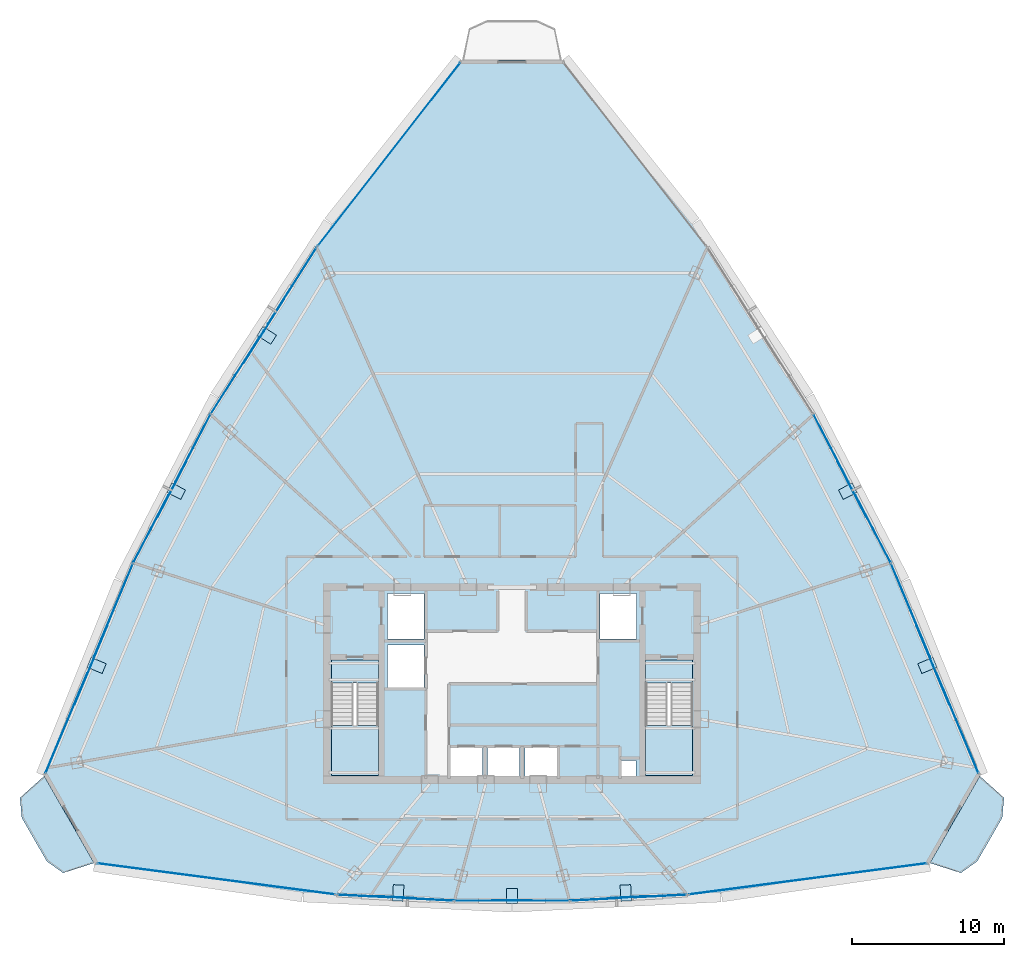
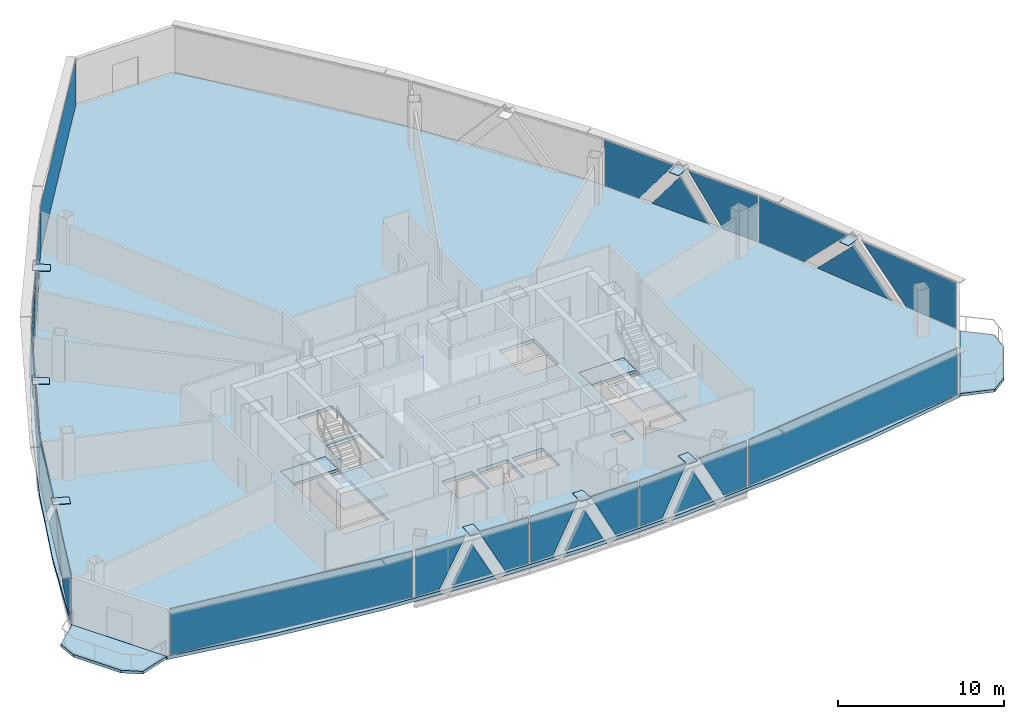
# One storey, part 27 of 33: 35 plates, 7 slabs, 13 elements without a shape of their own.
"""IFC4 building model written with IfcOpenShell, lengths in metres."""

from ifc_helpers import new_model, si_unit, direction, frame, origin, origin_2d, place, context, subcontext, project, spatial, polyline, rectangle, outline, extrude, source, transform, mapped, material, layer, layer_set, type_object, element, aggregate, save


model = new_model("IFC4")

# Units and contexts
model_context = context("Model", 3, precision=1e-05, world=origin(), true_north=direction((0.0, 1.0)))
body_context = subcontext(model_context, "Body", "Model", "MODEL_VIEW")
ifc_project = project(units=[si_unit("LENGTHUNIT", "METRE"), si_unit("AREAUNIT", "SQUARE_METRE"), si_unit("VOLUMEUNIT", "CUBIC_METRE"), si_unit("PLANEANGLEUNIT", "RADIAN"), si_unit("MASSUNIT", "GRAM", prefix="KILO"), si_unit("THERMODYNAMICTEMPERATUREUNIT", "KELVIN"), si_unit("POWERUNIT", "WATT")], contexts=[model_context])

# Site, building, storey
site_placement = place(None, origin())
site = spatial("IfcSite", under=ifc_project, at=site_placement, CompositionType="ELEMENT")
building_placement = place(site_placement, origin())
building = spatial("IfcBuilding", under=site, at=building_placement, Name="Yunzhuo Pagoda Commons", CompositionType="ELEMENT")
storey_placement = place(building_placement, frame((0.0, 0.0, 307.39990234375)))
storey = spatial("IfcBuildingStorey", under=building, at=storey_placement, Name="L77", CompositionType="ELEMENT", Elevation=307.39990234375)

# Curtain wall, plates
ifc_material_1 = material(Name="Anodized aluminium 6063-T6", Category="aluminium")
ifc_layer_1 = layer(ifc_material_1, 0.139892578125)
ifc_layer_set_1 = layer_set([ifc_layer_1], Name="Anodized aluminium 6063-T6")
curtain_wall_type = type_object("IfcCurtainWallType", Name="CW-HI High-Zone Ribbon Curtain Wall", PredefinedType="NOTDEFINED", material=ifc_layer_set_1)
curtain_wall_1_placement = place(storey_placement, origin())
curtain_wall_1 = element("IfcCurtainWall", 1, at=curtain_wall_1_placement, inside=storey, type_object=curtain_wall_type, Name="L77 curtain wall CW-L77-F1B2", PredefinedType="NOTDEFINED")
ifc_material_2 = material(Name="Tempered low-e double glazing", Category="glass")
ifc_layer_2 = layer(ifc_material_2, 0.02587890625)
ifc_layer_set_2 = layer_set([ifc_layer_2], Name="Tempered low-e double glazing")
plate_type_1 = type_object("IfcPlateType", Name="CW-HI-P Low-E Double Glazing 26", PredefinedType="CURTAIN_PANEL", material=ifc_layer_set_2)
plate_1_placement = place(storey_placement, frame((38.1982421875, 19.86962890625, 1.735107421875), z_axis=(-0.051461616076, -0.998674973187, 0.0), x_axis=(0.998674973187, -0.051461616076, 0.0)))
plate_1 = element("IfcPlate", 2, at=plate_1_placement, type_object=plate_type_1, Name="CW panel 1.1 lite 1", PredefinedType="CURTAIN_PANEL", context=body_context, shape_type="SweptSolid", body=[
    extrude(outline(polyline([(-1.681396484375, -1.679931640625), (-0.06591796875, -1.679931640625), (1.681396484375, 1.679931640625), (-1.681396484375, 1.679931640625), (-1.681396484375, -1.679931640625)])), origin(), (0.0, 0.0, 1.0), 0.028076171875),
])
plate_2_placement = place(storey_placement, frame((40.335205078125, 19.78955078125, 1.350830078125), z_axis=(-0.051461616076, -0.998674973187, 0.0), x_axis=(0.998674973187, -0.051461616076, 0.0)))
plate_2 = element("IfcPlate", 3, at=plate_2_placement, type_object=plate_type_1, Name="CW panel 1.1 lite 2", PredefinedType="CURTAIN_PANEL", context=body_context, shape_type="SweptSolid", body=[
    extrude(outline(polyline([(-1.34765625, -1.295654296875), (1.34765625, -1.295654296875), (0.0, 1.295654296875), (-1.34765625, -1.295654296875)])), origin(), (0.0, 0.0, 1.0), 0.028076171875),
])
plate_3_placement = place(storey_placement, frame((42.46923828125, 19.6494140625, 1.735107421875), z_axis=(-0.051461616076, -0.998674973187, 0.0), x_axis=(0.998674973187, -0.051461616076, 0.0)))
plate_3 = element("IfcPlate", 4, at=plate_3_placement, type_object=plate_type_1, Name="CW panel 1.1 lite 3", PredefinedType="CURTAIN_PANEL", context=body_context, shape_type="SweptSolid", body=[
    extrude(outline(polyline([(-1.681396484375, 1.679931640625), (0.066162109375, -1.679931640625), (1.681396484375, -1.679931640625), (1.681396484375, 1.679931640625), (-1.681396484375, 1.679931640625)])), origin(), (0.0, 0.0, 1.0), 0.028076171875),
])
aggregate(curtain_wall_1, [plate_1, plate_2, plate_3])

curtain_wall_2_placement = place(storey_placement, origin())
curtain_wall_2 = element("IfcCurtainWall", 5, at=curtain_wall_2_placement, inside=storey, type_object=curtain_wall_type, Name="L77 curtain wall CW-L77-F1B3", PredefinedType="NOTDEFINED")
plate_4_placement = place(storey_placement, frame((45.906494140625, 19.56005859375, 1.735107421875), z_axis=(0.0, -1.0, 0.0), x_axis=(1.0, 0.0, 0.0)))
plate_4 = element("IfcPlate", 6, at=plate_4_placement, type_object=plate_type_1, Name="CW panel 1.1 lite 1", PredefinedType="CURTAIN_PANEL", context=body_context, shape_type="SweptSolid", body=[
    extrude(outline(polyline([(-1.63916015625, -1.679931640625), (-0.06884765625, -1.679931640625), (1.63916015625, 1.679931640625), (-1.63916015625, 1.679931640625), (-1.63916015625, -1.679931640625)])), origin(), (0.0, 0.0, 1.0), 0.028076171875),
])
plate_5_placement = place(storey_placement, frame((48.0, 19.58984375, 1.34326171875), z_axis=(0.0, -1.0, 0.0), x_axis=(1.0, 0.0, 0.0)))
plate_5 = element("IfcPlate", 7, at=plate_5_placement, type_object=plate_type_1, Name="CW panel 1.1 lite 2", PredefinedType="CURTAIN_PANEL", context=body_context, shape_type="SweptSolid", body=[
    extrude(outline(polyline([(-1.309814453125, -1.288330078125), (1.309814453125, -1.288330078125), (0.0, 1.288330078125), (-1.309814453125, -1.288330078125)])), origin(), (0.0, 0.0, 1.0), 0.028076171875),
])
plate_6_placement = place(storey_placement, frame((50.093505859375, 19.56005859375, 1.735107421875), z_axis=(0.0, -1.0, 0.0), x_axis=(1.0, 0.0, 0.0)))
plate_6 = element("IfcPlate", 8, at=plate_6_placement, type_object=plate_type_1, Name="CW panel 1.1 lite 3", PredefinedType="CURTAIN_PANEL", context=body_context, shape_type="SweptSolid", body=[
    extrude(outline(polyline([(-1.63916015625, 1.679931640625), (0.06884765625, -1.679931640625), (1.63916015625, -1.679931640625), (1.63916015625, 1.679931640625), (-1.63916015625, 1.679931640625)])), origin(), (0.0, 0.0, 1.0), 0.028076171875),
])
aggregate(curtain_wall_2, [plate_4, plate_5, plate_6])

curtain_wall_3_placement = place(storey_placement, origin())
curtain_wall_3 = element("IfcCurtainWall", 9, at=curtain_wall_3_placement, inside=storey, type_object=curtain_wall_type, Name="L77 curtain wall CW-L77-F1B4", PredefinedType="NOTDEFINED")
plate_7_placement = place(storey_placement, frame((53.53076171875, 19.6494140625, 1.735107421875), z_axis=(0.051461616076, -0.998674973187, 0.0), x_axis=(0.998674973187, 0.051461616076, 0.0)))
plate_7 = element("IfcPlate", 10, at=plate_7_placement, type_object=plate_type_1, Name="CW panel 1.1 lite 1", PredefinedType="CURTAIN_PANEL", context=body_context, shape_type="SweptSolid", body=[
    extrude(outline(polyline([(-1.681396484375, -1.679931640625), (-0.066162109375, -1.679931640625), (1.681396484375, 1.679931640625), (-1.681396484375, 1.679931640625), (-1.681396484375, -1.679931640625)])), origin(), (0.0, 0.0, 1.0), 0.028076171875),
])
plate_8_placement = place(storey_placement, frame((55.664794921875, 19.78955078125, 1.350830078125), z_axis=(0.051461616076, -0.998674973187, 0.0), x_axis=(0.998674973187, 0.051461616076, 0.0)))
plate_8 = element("IfcPlate", 11, at=plate_8_placement, type_object=plate_type_1, Name="CW panel 1.1 lite 2", PredefinedType="CURTAIN_PANEL", context=body_context, shape_type="SweptSolid", body=[
    extrude(outline(polyline([(-1.34765625, -1.295654296875), (1.34765625, -1.295654296875), (0.0, 1.295654296875), (-1.34765625, -1.295654296875)])), origin(), (0.0, 0.0, 1.0), 0.028076171875),
])
plate_9_placement = place(storey_placement, frame((57.8017578125, 19.86962890625, 1.735107421875), z_axis=(0.051461616076, -0.998674973187, 0.0), x_axis=(0.998674973187, 0.051461616076, 0.0)))
plate_9 = element("IfcPlate", 12, at=plate_9_placement, type_object=plate_type_1, Name="CW panel 1.1 lite 3", PredefinedType="CURTAIN_PANEL", context=body_context, shape_type="SweptSolid", body=[
    extrude(outline(polyline([(-1.681396484375, 1.679931640625), (0.06591796875, -1.679931640625), (1.681396484375, -1.679931640625), (1.681396484375, 1.679931640625), (-1.681396484375, 1.679931640625)])), origin(), (0.0, 0.0, 1.0), 0.028076171875),
])
aggregate(curtain_wall_3, [plate_7, plate_8, plate_9])

curtain_wall_4_placement = place(storey_placement, origin())
curtain_wall_4 = element("IfcCurtainWall", 13, at=curtain_wall_4_placement, inside=storey, type_object=curtain_wall_type, Name="L77 curtain wall CW-L77-F2B2", PredefinedType="NOTDEFINED")
plate_10_placement = place(storey_placement, frame((77.342529296875, 31.243896484375, 1.735107421875), z_axis=(0.922876210298, 0.385096741697, 0.0), x_axis=(-0.385096741697, 0.922876210298, 0.0)))
plate_10 = element("IfcPlate", 14, at=plate_10_placement, type_object=plate_type_1, Name="CW panel 1.1 lite 1", PredefinedType="CURTAIN_PANEL", context=body_context, shape_type="SweptSolid", body=[
    extrude(outline(polyline([(-3.559814453125, -1.679931640625), (0.274169921875, -1.679931640625), (3.559814453125, 1.679931640625), (-3.559814453125, 1.679931640625), (-3.559814453125, -1.679931640625)])), origin(), (0.0, 0.0, 1.0), 0.028076171875),
])
plate_11_placement = place(storey_placement, frame((75.718505859375, 35.0576171875, 1.490966796875), z_axis=(0.922876210298, 0.385096741697, 0.0), x_axis=(-0.385096741697, 0.922876210298, 0.0)))
plate_11 = element("IfcPlate", 15, at=plate_11_placement, type_object=plate_type_1, Name="CW panel 1.1 lite 2", PredefinedType="CURTAIN_PANEL", context=body_context, shape_type="SweptSolid", body=[
    extrude(outline(polyline([(-2.807861328125, -1.435791015625), (2.807861328125, -1.435791015625), (0.0, 1.435791015625), (-2.807861328125, -1.435791015625)])), origin(), (0.0, 0.0, 1.0), 0.028076171875),
])
plate_12_placement = place(storey_placement, frame((74.240478515625, 38.677734375, 1.735107421875), z_axis=(0.922876210298, 0.385096741697, 0.0), x_axis=(-0.385096741697, 0.922876210298, 0.0)))
plate_12 = element("IfcPlate", 16, at=plate_12_placement, type_object=plate_type_1, Name="CW panel 1.1 lite 3", PredefinedType="CURTAIN_PANEL", context=body_context, shape_type="SweptSolid", body=[
    extrude(outline(polyline([(-3.32470703125, 1.679931640625), (-0.039306640625, -1.679931640625), (3.32470703125, -1.679931640625), (3.32470703125, 1.679931640625), (-3.32470703125, 1.679931640625)])), origin(), (0.0, 0.0, 1.0), 0.028076171875),
])
aggregate(curtain_wall_4, [plate_10, plate_11, plate_12])

curtain_wall_5_placement = place(storey_placement, origin())
curtain_wall_5 = element("IfcCurtainWall", 17, at=curtain_wall_5_placement, inside=storey, type_object=curtain_wall_type, Name="L77 curtain wall CW-L77-F2B3", PredefinedType="NOTDEFINED")
plate_13_placement = place(storey_placement, frame((71.7705078125, 44.043701171875, 1.735107421875), z_axis=(0.887137465673, 0.461505272992, 0.0), x_axis=(-0.461505272992, 0.887137465673, 0.0)))
plate_13 = element("IfcPlate", 18, at=plate_13_placement, type_object=plate_type_1, Name="CW panel 1.1 lite 1", PredefinedType="CURTAIN_PANEL", context=body_context, shape_type="SweptSolid", body=[
    extrude(outline(polyline([(-2.468994140625, -1.679931640625), (-0.01318359375, -1.679931640625), (2.468994140625, 1.679931640625), (-2.468994140625, 1.679931640625), (-2.468994140625, -1.679931640625)])), origin(), (0.0, 0.0, 1.0), 0.028076171875),
])
plate_14_placement = place(storey_placement, frame((70.367431640625, 46.67529296875, 1.44287109375), z_axis=(0.887137465673, 0.461505272992, 0.0), x_axis=(-0.461505272992, 0.887137465673, 0.0)))
plate_14 = element("IfcPlate", 19, at=plate_14_placement, type_object=plate_type_1, Name="CW panel 1.1 lite 2", PredefinedType="CURTAIN_PANEL", context=body_context, shape_type="SweptSolid", body=[
    extrude(outline(polyline([(-2.05029296875, -1.3876953125), (2.05029296875, -1.3876953125), (0.0, 1.3876953125), (-2.05029296875, -1.3876953125)])), origin(), (0.0, 0.0, 1.0), 0.028076171875),
])
plate_15_placement = place(storey_placement, frame((69.017822265625, 49.334716796875, 1.735107421875), z_axis=(0.887137465673, 0.461505272992, 0.0), x_axis=(-0.461505272992, 0.887137465673, 0.0)))
plate_15 = element("IfcPlate", 20, at=plate_15_placement, type_object=plate_type_1, Name="CW panel 1.1 lite 3", PredefinedType="CURTAIN_PANEL", context=body_context, shape_type="SweptSolid", body=[
    extrude(outline(polyline([(-2.468994140625, 1.679931640625), (0.01318359375, -1.679931640625), (2.468994140625, -1.679931640625), (2.468994140625, 1.679931640625), (-2.468994140625, 1.679931640625)])), origin(), (0.0, 0.0, 1.0), 0.028076171875),
])
aggregate(curtain_wall_5, [plate_13, plate_14, plate_15])

curtain_wall_6_placement = place(storey_placement, origin())
curtain_wall_6 = element("IfcCurtainWall", 21, at=curtain_wall_6_placement, inside=storey, type_object=curtain_wall_type, Name="L77 curtain wall CW-L77-F3B2", PredefinedType="NOTDEFINED")
plate_16_placement = place(storey_placement, frame((33.530029296875, 60.042236328125, 1.735107421875), z_axis=(-0.843909804597, 0.536485080599, 0.0), x_axis=(-0.536485080599, -0.843909804597, 0.0)))
plate_16 = element("IfcPlate", 22, at=plate_16_placement, type_object=plate_type_1, Name="CW panel 1.1 lite 1", PredefinedType="CURTAIN_PANEL", context=body_context, shape_type="SweptSolid", body=[
    extrude(outline(polyline([(-2.954833984375, -1.679931640625), (0.01708984375, -1.679931640625), (2.954833984375, 1.679931640625), (-2.954833984375, 1.679931640625), (-2.954833984375, -1.679931640625)])), origin(), (0.0, 0.0, 1.0), 0.028076171875),
])
plate_17_placement = place(storey_placement, frame((31.673583984375, 57.06591796875, 1.473876953125), z_axis=(-0.843909804597, 0.536485080599, 0.0), x_axis=(-0.536485080599, -0.843909804597, 0.0)))
plate_17 = element("IfcPlate", 23, at=plate_17_placement, type_object=plate_type_1, Name="CW panel 1.1 lite 2", PredefinedType="CURTAIN_PANEL", context=body_context, shape_type="SweptSolid", body=[
    extrude(outline(polyline([(-2.481201171875, -1.4189453125), (2.481201171875, -1.4189453125), (0.0, 1.4189453125), (-2.481201171875, -1.4189453125)])), origin(), (0.0, 0.0, 1.0), 0.028076171875),
])
plate_18_placement = place(storey_placement, frame((29.766357421875, 54.121826171875, 1.735107421875), z_axis=(-0.843909804597, 0.536485080599, 0.0), x_axis=(-0.536485080599, -0.843909804597, 0.0)))
plate_18 = element("IfcPlate", 24, at=plate_18_placement, type_object=plate_type_1, Name="CW panel 1.1 lite 3", PredefinedType="CURTAIN_PANEL", context=body_context, shape_type="SweptSolid", body=[
    extrude(outline(polyline([(-2.954833984375, 1.679931640625), (-0.01708984375, -1.679931640625), (2.955078125, -1.679931640625), (2.955078125, 1.679931640625), (-2.954833984375, 1.679931640625)])), origin(), (0.0, 0.0, 1.0), 0.028076171875),
])
aggregate(curtain_wall_6, [plate_16, plate_17, plate_18])

curtain_wall_7_placement = place(storey_placement, origin())
curtain_wall_7 = element("IfcCurtainWall", 25, at=curtain_wall_7_placement, inside=storey, type_object=curtain_wall_type, Name="L77 curtain wall CW-L77-F3B3", PredefinedType="NOTDEFINED")
plate_19_placement = place(storey_placement, frame((26.982177734375, 49.334716796875, 1.735107421875), z_axis=(-0.887137465673, 0.461505272992, 0.0), x_axis=(-0.461505272992, -0.887137465673, 0.0)))
plate_19 = element("IfcPlate", 26, at=plate_19_placement, type_object=plate_type_1, Name="CW panel 1.1 lite 1", PredefinedType="CURTAIN_PANEL", context=body_context, shape_type="SweptSolid", body=[
    extrude(outline(polyline([(-2.468994140625, -1.679931640625), (-0.01318359375, -1.679931640625), (2.468994140625, 1.679931640625), (-2.468994140625, 1.679931640625), (-2.468994140625, -1.679931640625)])), origin(), (0.0, 0.0, 1.0), 0.028076171875),
])
plate_20_placement = place(storey_placement, frame((25.632568359375, 46.67529296875, 1.44287109375), z_axis=(-0.887137465673, 0.461505272992, 0.0), x_axis=(-0.461505272992, -0.887137465673, 0.0)))
plate_20 = element("IfcPlate", 27, at=plate_20_placement, type_object=plate_type_1, Name="CW panel 1.1 lite 2", PredefinedType="CURTAIN_PANEL", context=body_context, shape_type="SweptSolid", body=[
    extrude(outline(polyline([(-2.05029296875, -1.3876953125), (2.05029296875, -1.3876953125), (0.0, 1.3876953125), (-2.05029296875, -1.3876953125)])), origin(), (0.0, 0.0, 1.0), 0.028076171875),
])
plate_21_placement = place(storey_placement, frame((24.2294921875, 44.043701171875, 1.735107421875), z_axis=(-0.887137465673, 0.461505272992, 0.0), x_axis=(-0.461505272992, -0.887137465673, 0.0)))
plate_21 = element("IfcPlate", 28, at=plate_21_placement, type_object=plate_type_1, Name="CW panel 1.1 lite 3", PredefinedType="CURTAIN_PANEL", context=body_context, shape_type="SweptSolid", body=[
    extrude(outline(polyline([(-2.468994140625, 1.679931640625), (0.01318359375, -1.679931640625), (2.468994140625, -1.679931640625), (2.468994140625, 1.679931640625), (-2.468994140625, 1.679931640625)])), origin(), (0.0, 0.0, 1.0), 0.028076171875),
])
aggregate(curtain_wall_7, [plate_19, plate_20, plate_21])

curtain_wall_8_placement = place(storey_placement, origin())
curtain_wall_8 = element("IfcCurtainWall", 29, at=curtain_wall_8_placement, inside=storey, type_object=curtain_wall_type, Name="L77 curtain wall CW-L77-F3B4", PredefinedType="NOTDEFINED")
plate_22_placement = place(storey_placement, frame((21.759521484375, 38.677734375, 1.735107421875), z_axis=(-0.922876210298, 0.385096741697, 0.0), x_axis=(-0.385096741697, -0.922876210298, 0.0)))
plate_22 = element("IfcPlate", 30, at=plate_22_placement, type_object=plate_type_1, Name="CW panel 1.1 lite 1", PredefinedType="CURTAIN_PANEL", context=body_context, shape_type="SweptSolid", body=[
    extrude(outline(polyline([(-3.32470703125, -1.679931640625), (0.039306640625, -1.679931640625), (3.32470703125, 1.679931640625), (-3.32470703125, 1.679931640625), (-3.32470703125, -1.679931640625)])), origin(), (0.0, 0.0, 1.0), 0.028076171875),
])
plate_23_placement = place(storey_placement, frame((20.281494140625, 35.0576171875, 1.490966796875), z_axis=(-0.922876210298, 0.385096741697, 0.0), x_axis=(-0.385096741697, -0.922876210298, 0.0)))
plate_23 = element("IfcPlate", 31, at=plate_23_placement, type_object=plate_type_1, Name="CW panel 1.1 lite 2", PredefinedType="CURTAIN_PANEL", context=body_context, shape_type="SweptSolid", body=[
    extrude(outline(polyline([(-2.807861328125, -1.435791015625), (2.807861328125, -1.435791015625), (0.0, 1.435791015625), (-2.807861328125, -1.435791015625)])), origin(), (0.0, 0.0, 1.0), 0.028076171875),
])
plate_24_placement = place(storey_placement, frame((18.657470703125, 31.243896484375, 1.735107421875), z_axis=(-0.922876210298, 0.385096741697, 0.0), x_axis=(-0.385096741697, -0.922876210298, 0.0)))
plate_24 = element("IfcPlate", 32, at=plate_24_placement, type_object=plate_type_1, Name="CW panel 1.1 lite 3", PredefinedType="CURTAIN_PANEL", context=body_context, shape_type="SweptSolid", body=[
    extrude(outline(polyline([(-3.559814453125, 1.679931640625), (-0.274169921875, -1.679931640625), (3.559814453125, -1.679931640625), (3.559814453125, 1.679931640625), (-3.559814453125, 1.679931640625)])), origin(), (0.0, 0.0, 1.0), 0.028076171875),
])
aggregate(curtain_wall_8, [plate_22, plate_23, plate_24])

# Slabs
ifc_material_3 = material(Name="Concrete C40", Category="concrete")
ifc_layer_3 = layer(ifc_material_3, 0.199951171875)
ifc_layer_set_3 = layer_set([ifc_layer_3], Name="Concrete C40")
slab_type_1 = type_object("IfcSlabType", Name="SL-BAL Vertex Balcony Deck Slab 200", PredefinedType="FLOOR", material=ifc_layer_set_3)
slab_1_placement = place(storey_placement, frame((0.0, 0.0, -0.199951171875)))
element("IfcSlab", 33, at=slab_1_placement, inside=storey, type_object=slab_type_1, Name="L77 corner balcony V1", PredefinedType="FLOOR", context=body_context, shape_type="SweptSolid", body=[
    extrude(outline(polyline([(17.180908203125, 27.75927734375), (20.468994140625, 22.032958984375), (18.427978515625, 21.380126953125), (17.35302734375, 22.1474609375), (15.709228515625, 25.010498046875), (15.588134765625, 26.32568359375), (17.180908203125, 27.75927734375)])), origin(), (0.0, 0.0, 1.0), 0.199951171875),
])
slab_2_placement = place(storey_placement, frame((0.0, 0.0, -0.199951171875)))
element("IfcSlab", 34, at=slab_2_placement, inside=storey, type_object=slab_type_1, Name="L77 corner balcony V2", PredefinedType="FLOOR", context=body_context, shape_type="SweptSolid", body=[
    extrude(outline(polyline([(75.531005859375, 22.032958984375), (78.819091796875, 27.75927734375), (80.411865234375, 26.32568359375), (80.290771484375, 25.010498046875), (78.64697265625, 22.1474609375), (77.572021484375, 21.380126953125), (75.531005859375, 22.032958984375)])), origin(), (0.0, 0.0, 1.0), 0.199951171875),
])

# Stair, slabs
stair_type_1 = type_object("IfcStairType", Name="ST-C1 Core Smokeproof Stair ST1", PredefinedType="HALF_TURN_STAIR", material=ifc_material_3)
stair_1_placement = place(storey_placement, origin())
stair_1 = element("IfcStair", 35, at=stair_1_placement, inside=storey, type_object=stair_type_1, Name="L77 Core smokeproof stair ST1", PredefinedType="HALF_TURN_STAIR")
ifc_layer_4 = layer(ifc_material_3, 0.199951171875)
ifc_layer_set_4 = layer_set([ifc_layer_4], Name="Concrete C40")
slab_type_2 = type_object("IfcSlabType", Name="SL-LND1 Stair Landing Slab 200", PredefinedType="LANDING", material=ifc_layer_set_4)
slab_3_placement = place(storey_placement, frame((0.0, 0.0, 1.6650390625)))
slab_3 = element("IfcSlab", 36, at=slab_3_placement, type_object=slab_type_2, Name="ST1 landing 1", PredefinedType="LANDING", context=body_context, shape_type="SweptSolid", body=[
    extrude(outline(polyline([(36.10009765625, 31.10009765625), (36.10009765625, 27.800048828125), (39.199951171875, 27.800048828125), (39.199951171875, 31.10009765625), (36.10009765625, 31.10009765625)])), origin(), (0.0, 0.0, 1.0), 0.199951171875),
])
slab_4_placement = place(storey_placement, frame((0.0, 0.0, -0.199951171875)))
slab_4 = element("IfcSlab", 37, at=slab_4_placement, type_object=slab_type_2, Name="ST1 floor landing L77", PredefinedType="LANDING", context=body_context, shape_type="SweptSolid", body=[
    extrude(outline(polyline([(36.10009765625, 35.39990234375), (36.10009765625, 33.89990234375), (39.199951171875, 33.89990234375), (39.199951171875, 35.39990234375), (36.10009765625, 35.39990234375)])), origin(), (0.0, 0.0, 1.0), 0.199951171875),
])
aggregate(stair_1, [slab_3, slab_4])

stair_type_2 = type_object("IfcStairType", Name="ST-C2 Core Smokeproof Stair ST2", PredefinedType="HALF_TURN_STAIR", material=ifc_material_3)
stair_2_placement = place(storey_placement, origin())
stair_2 = element("IfcStair", 38, at=stair_2_placement, inside=storey, type_object=stair_type_2, Name="L77 Core smokeproof stair ST2", PredefinedType="HALF_TURN_STAIR")
ifc_layer_5 = layer(ifc_material_3, 0.201904296875)
ifc_layer_set_5 = layer_set([ifc_layer_5], Name="Concrete C40")
slab_type_3 = type_object("IfcSlabType", Name="SL-LND2 Stair Landing Slab 202", PredefinedType="LANDING", material=ifc_layer_set_5)
slab_5_placement = place(storey_placement, frame((0.0, 0.0, 1.6650390625)))
slab_5 = element("IfcSlab", 39, at=slab_5_placement, type_object=slab_type_3, Name="ST2 landing 1", PredefinedType="LANDING", context=body_context, shape_type="SweptSolid", body=[
    extrude(outline(polyline([(56.800048828125, 31.10009765625), (56.800048828125, 27.800048828125), (59.89990234375, 27.800048828125), (59.89990234375, 31.10009765625), (56.800048828125, 31.10009765625)])), origin(), (0.0, 0.0, 1.0), 0.199951171875),
])
slab_6_placement = place(storey_placement, frame((0.0, 0.0, -0.199951171875)))
slab_6 = element("IfcSlab", 40, at=slab_6_placement, type_object=slab_type_3, Name="ST2 floor landing L77", PredefinedType="LANDING", context=body_context, shape_type="SweptSolid", body=[
    extrude(outline(polyline([(56.800048828125, 35.39990234375), (56.800048828125, 33.89990234375), (59.89990234375, 33.89990234375), (59.89990234375, 35.39990234375), (56.800048828125, 35.39990234375)])), origin(), (0.0, 0.0, 1.0), 0.199951171875),
])
aggregate(stair_2, [slab_5, slab_6])

# Slab
ifc_layer_6 = layer(ifc_material_3, 0.260009765625)
ifc_layer_set_6 = layer_set([ifc_layer_6], Name="Concrete C40")
slab_type_4 = type_object("IfcSlabType", Name="SL-TWR Typical Tower Floor Slab 260", PredefinedType="FLOOR", material=ifc_layer_set_6)
slab_7_placement = place(storey_placement, frame((0.0, 0.0, -0.260009765625)))
element("IfcSlab", 41, at=slab_7_placement, inside=storey, type_object=slab_type_4, Name="L77 structural floor slab", PredefinedType="FLOOR", context=body_context, shape_type="SweptSolid", body=[
    extrude(outline(polyline([(19.614013671875, 34.2470703125), (22.331787109375, 40.563720703125), (25.3388671875, 46.71142578125), (28.635009765625, 52.6904296875), (32.220703125, 58.50048828125), (36.09521484375, 64.141845703125), (40.259033203125, 69.614501953125), (44.712158203125, 74.918212890625), (51.287841796875, 74.918212890625), (55.740966796875, 69.614501953125), (59.90478515625, 64.141845703125), (63.779296875, 58.50048828125), (67.364990234375, 52.6904296875), (70.6611328125, 46.71142578125), (73.668212890625, 40.563720703125), (76.385986328125, 34.2470703125), (78.814697265625, 27.76171875), (75.52685546875, 22.035400390625), (68.64501953125, 20.86328125), (61.763427734375, 20.026123046875), (54.881591796875, 19.52392578125), (48.0, 19.3564453125), (41.118408203125, 19.52392578125), (34.236572265625, 20.026123046875), (27.35498046875, 20.86328125), (20.47314453125, 22.035400390625), (17.185302734375, 27.76171875), (19.614013671875, 34.2470703125)]), holes=[polyline([(56.179931640625, 28.800048828125), (55.179931640625, 28.800048828125), (55.179931640625, 27.699951171875), (56.179931640625, 27.699951171875), (56.179931640625, 28.800048828125)]), polyline([(46.050048828125, 29.64990234375), (43.949951171875, 29.64990234375), (43.949951171875, 27.60009765625), (46.050048828125, 27.60009765625), (46.050048828125, 29.64990234375)]), polyline([(48.5, 29.64990234375), (46.39990234375, 29.64990234375), (46.39990234375, 27.60009765625), (48.5, 27.60009765625), (48.5, 29.64990234375)]), polyline([(50.949951171875, 29.64990234375), (48.85009765625, 29.64990234375), (48.85009765625, 27.60009765625), (50.949951171875, 27.60009765625), (50.949951171875, 29.64990234375)]), polyline([(39.199951171875, 27.800048828125), (39.199951171875, 35.39990234375), (36.10009765625, 35.39990234375), (36.10009765625, 27.800048828125), (39.199951171875, 27.800048828125)]), polyline([(59.89990234375, 27.800048828125), (59.89990234375, 35.39990234375), (56.800048828125, 35.39990234375), (56.800048828125, 27.800048828125), (59.89990234375, 27.800048828125)]), polyline([(42.199951171875, 36.39990234375), (39.800048828125, 36.39990234375), (39.800048828125, 33.60009765625), (42.199951171875, 33.60009765625), (42.199951171875, 36.39990234375)]), polyline([(42.199951171875, 36.800048828125), (42.199951171875, 39.800048828125), (39.800048828125, 39.800048828125), (39.800048828125, 36.800048828125), (42.199951171875, 36.800048828125)]), polyline([(56.199951171875, 36.800048828125), (56.199951171875, 39.800048828125), (53.800048828125, 39.800048828125), (53.800048828125, 36.800048828125), (56.199951171875, 36.800048828125)])]), origin(), (0.0, 0.0, 1.0), 0.260009765625),
])

# Plates
ifc_material_4 = material(Name="Structural steel Q355B", Category="steel")
ifc_layer_7 = layer(ifc_material_4, 0.028076171875)
ifc_layer_set_7 = layer_set([ifc_layer_7], Name="Structural steel Q355B")
plate_type_2 = type_object("IfcPlateType", Name="SP-ND1 Lattice Node Cap Plate 800x500x28", PredefinedType="USERDEFINED", material=ifc_layer_set_7)
shared_shape_1 = source(origin(), body_context, "Body", "SweptSolid", [
    extrude(rectangle(XDim=0.699951171875, YDim=1.061279296875, at=origin_2d()), origin(), (0.0, 0.0, 1.0), 0.035888671875),
])
for number, where, z_axis, x_axis, name in (
    (42, (40.50390625, 20.057373046875, 3.43212890625), (0.0, 0.0, 1.0), (0.998674826237, -0.051464467756, 0.0), "L77 setback lattice tie plate F1.1L"),
    (43, (55.49609375, 20.057373046875, 3.43212890625), (0.0, 0.0, 1.0), (0.998674826237, 0.051464467756, 0.0), "L77 setback lattice tie plate F1.3L"),
):
    element("IfcPlate", number, at=place(storey_placement, frame(where, z_axis=z_axis, x_axis=x_axis)), inside=storey, type_object=plate_type_2, Name=name, ObjectType="STIFFENER_PLATE", PredefinedType="USERDEFINED", context=body_context, shape_type="MappedRepresentation", body=[
        mapped(shared_shape_1, transform((0.0, 0.0, 0.0), scale=1.0)),
    ])
shared_shape_2 = source(origin(), body_context, "Body", "SweptSolid", [
    extrude(rectangle(XDim=0.699951171875, YDim=0.9853515625, at=origin_2d()), origin(), (0.0, 0.0, 1.0), 0.035888671875),
])
plate_25_placement = place(storey_placement, frame((48.0, 19.863525390625, 3.43212890625), z_axis=(0.0, 0.0, 1.0), x_axis=(1.0, 0.0, 0.0)))
element("IfcPlate", 44, at=plate_25_placement, inside=storey, type_object=plate_type_2, Name="L77 setback lattice tie plate F1.2L", ObjectType="STIFFENER_PLATE", PredefinedType="USERDEFINED", context=body_context, shape_type="MappedRepresentation", body=[
    mapped(shared_shape_2, transform((0.0, 0.0, 0.0), scale=1.0)),
])
shared_shape_3 = source(origin(), body_context, "Body", "SweptSolid", [
    extrude(rectangle(XDim=0.699951171875, YDim=1.084228515625, at=origin_2d()), origin(), (0.0, 0.0, 1.0), 0.035888671875),
])
for number, where, z_axis, x_axis, name in (
    (45, (75.364990234375, 35.04638671875, 3.43212890625), (0.0, 0.0, 1.0), (-0.381344677903, 0.924432927061, 0.0), "L77 setback lattice tie plate F2.1L"),
    (46, (20.635009765625, 35.04638671875, 3.43212890625), (0.0, 0.0, 1.0), (-0.381344677903, -0.924432927061, 0.0), "L77 setback lattice tie plate F3.3L"),
):
    element("IfcPlate", number, at=place(storey_placement, frame(where, z_axis=z_axis, x_axis=x_axis)), inside=storey, type_object=plate_type_2, Name=name, ObjectType="STIFFENER_PLATE", PredefinedType="USERDEFINED", context=body_context, shape_type="MappedRepresentation", body=[
        mapped(shared_shape_3, transform((0.0, 0.0, 0.0), scale=1.0)),
    ])
shared_shape_4 = source(origin(), body_context, "Body", "SweptSolid", [
    extrude(rectangle(XDim=0.699951171875, YDim=1.073974609375, at=origin_2d()), origin(), (0.0, 0.0, 1.0), 0.035888671875),
])
plate_26_placement = place(storey_placement, frame((31.84423828125, 56.79345703125, 3.43212890625), z_axis=(0.0, 0.0, 1.0), x_axis=(-0.53648976325, -0.843906827753, 0.0)))
element("IfcPlate", 47, at=plate_26_placement, inside=storey, type_object=plate_type_2, Name="L77 setback lattice tie plate F3.1L", ObjectType="STIFFENER_PLATE", PredefinedType="USERDEFINED", context=body_context, shape_type="MappedRepresentation", body=[
    mapped(shared_shape_4, transform((0.0, 0.0, 0.0), scale=1.0)),
])
shared_shape_5 = source(origin(), body_context, "Body", "SweptSolid", [
    extrude(rectangle(XDim=0.699951171875, YDim=1.01904296875, at=origin_2d()), origin(), (0.0, 0.0, 1.0), 0.035888671875),
])
for number, where, z_axis, x_axis, name in (
    (48, (70.116943359375, 46.5283203125, 3.43212890625), (0.0, 0.0, 1.0), (-0.461500895082, 0.887139743129, 0.0), "L77 setback lattice tie plate F2.2L"),
    (49, (25.883056640625, 46.5283203125, 3.43212890625), (0.0, 0.0, 1.0), (-0.461500895082, -0.887139743129, 0.0), "L77 setback lattice tie plate F3.2L"),
):
    element("IfcPlate", number, at=place(storey_placement, frame(where, z_axis=z_axis, x_axis=x_axis)), inside=storey, type_object=plate_type_2, Name=name, ObjectType="STIFFENER_PLATE", PredefinedType="USERDEFINED", context=body_context, shape_type="MappedRepresentation", body=[
        mapped(shared_shape_5, transform((0.0, 0.0, 0.0), scale=1.0)),
    ])

# Curtain wall, plate
curtain_wall_9_placement = place(storey_placement, origin())
curtain_wall_9 = element("IfcCurtainWall", 50, at=curtain_wall_9_placement, inside=storey, type_object=curtain_wall_type, Name="L77 curtain wall CW-L77-F1B1", PredefinedType="NOTDEFINED")
shared_shape_6 = source(origin(), body_context, "Body", "SweptSolid", [
    extrude(rectangle(XDim=15.765380859375, YDim=0.028076171875, at=origin_2d()), origin(), (0.0, 0.0, 1.0), 3.360107421875),
])
plate_27_placement = place(storey_placement, frame((28.508544921875, 20.986328125, 0.05517578125), z_axis=(0.0, 0.0, 1.0), x_axis=(0.991532985066, -0.129855071238, 0.0)))
plate_27 = element("IfcPlate", 51, at=plate_27_placement, type_object=plate_type_1, Name="CW panel 1.1", PredefinedType="CURTAIN_PANEL", context=body_context, shape_type="MappedRepresentation", body=[
    mapped(shared_shape_6, transform((0.0, 0.0, 0.0), scale=1.0)),
])
aggregate(curtain_wall_9, [plate_27])

curtain_wall_10_placement = place(storey_placement, origin())
curtain_wall_10 = element("IfcCurtainWall", 52, at=curtain_wall_10_placement, inside=storey, type_object=curtain_wall_type, Name="L77 curtain wall CW-L77-F1B5", PredefinedType="NOTDEFINED")
plate_28_placement = place(storey_placement, frame((67.491455078125, 20.986328125, 0.05517578125), z_axis=(0.0, 0.0, 1.0), x_axis=(0.991532985066, 0.129855071238, 0.0)))
plate_28 = element("IfcPlate", 53, at=plate_28_placement, type_object=plate_type_1, Name="CW panel 1.1", PredefinedType="CURTAIN_PANEL", context=body_context, shape_type="MappedRepresentation", body=[
    mapped(shared_shape_6, transform((0.0, 0.0, 0.0), scale=1.0)),
])
aggregate(curtain_wall_10, [plate_28])

curtain_wall_11_placement = place(storey_placement, origin())
curtain_wall_11 = element("IfcCurtainWall", 54, at=curtain_wall_11_placement, inside=storey, type_object=curtain_wall_type, Name="L77 curtain wall CW-L77-F3B1", PredefinedType="NOTDEFINED")
shared_shape_7 = source(origin(), body_context, "Body", "SweptSolid", [
    extrude(rectangle(XDim=15.251708984375, YDim=0.028076171875, at=origin_2d()), origin(), (0.0, 0.0, 1.0), 3.360107421875),
])
plate_29_placement = place(storey_placement, frame((39.8994140625, 68.720703125, 0.05517578125), z_axis=(0.0, 0.0, 1.0), x_axis=(-0.613840173517, -0.78943032712, 0.0)))
plate_29 = element("IfcPlate", 55, at=plate_29_placement, type_object=plate_type_1, Name="CW panel 1.1", PredefinedType="CURTAIN_PANEL", context=body_context, shape_type="MappedRepresentation", body=[
    mapped(shared_shape_7, transform((0.0, 0.0, 0.0), scale=1.0)),
])
aggregate(curtain_wall_11, [plate_29])

save(model, "model.ifc")
